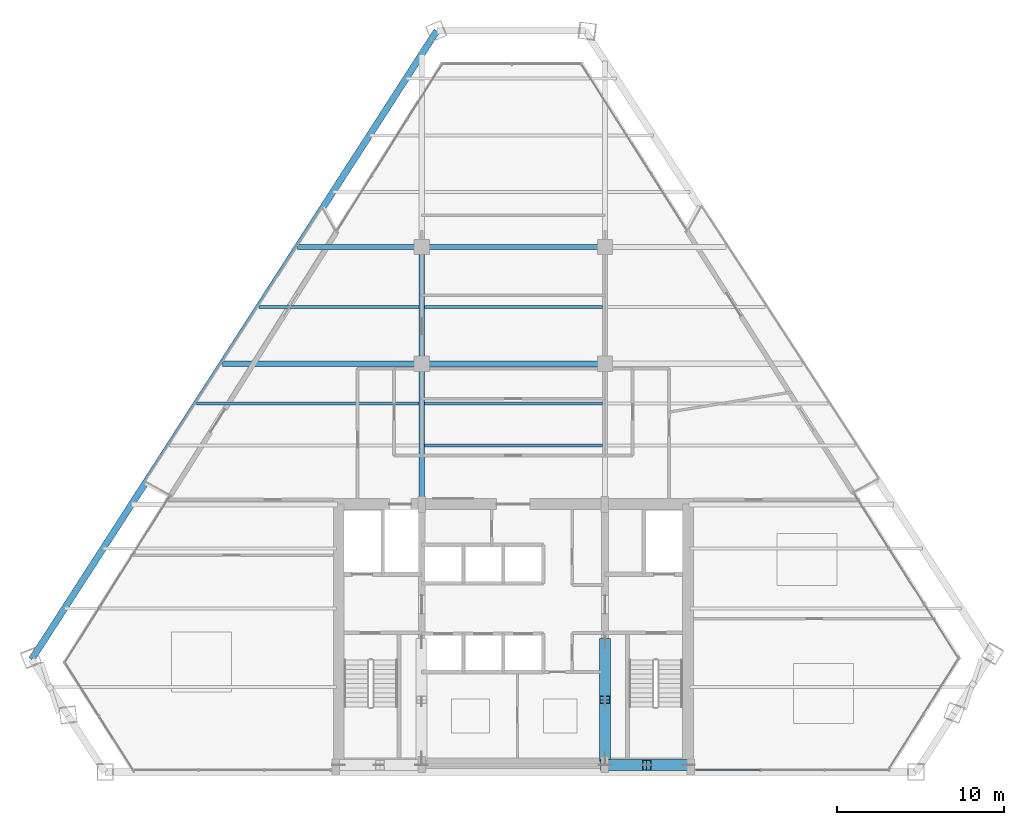
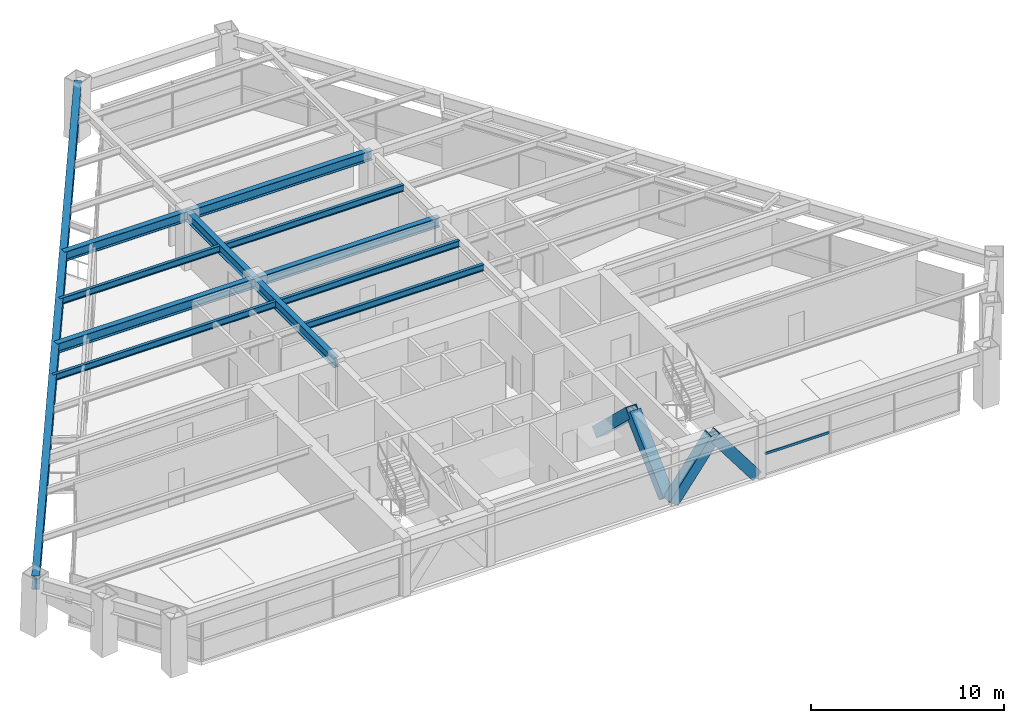
# One storey, part 5 of 15: 12 beams, 5 members, 1 element without a shape of its own.
"""IFC4 building model written with IfcOpenShell, lengths in metres."""

from ifc_helpers import new_model, si_unit, direction, frame, origin, origin_2d, place, context, subcontext, project, spatial, rectangle, hollow_rectangle, i_section, extrude, source, transform, mapped, material, material_profile, profile_set, type_object, type_shapes, element, aggregate, save


model = new_model("IFC4")

# Units and contexts
model_context = context("Model", 3, precision=1e-05, world=origin(), true_north=direction((0.0, 1.0)))
body_context = subcontext(model_context, "Body", "Model", "MODEL_VIEW")
ifc_project = project(units=[si_unit("LENGTHUNIT", "METRE"), si_unit("AREAUNIT", "SQUARE_METRE"), si_unit("VOLUMEUNIT", "CUBIC_METRE"), si_unit("PLANEANGLEUNIT", "RADIAN"), si_unit("MASSUNIT", "GRAM", prefix="KILO")], contexts=[model_context])

# Site, building, storey
site_placement = place(None, origin())
site = spatial("IfcSite", under=ifc_project, at=site_placement, CompositionType="ELEMENT")
building_placement = place(site_placement, origin())
building = spatial("IfcBuilding", under=site, at=building_placement, Name="Varnakhor Terracotta Tower", CompositionType="ELEMENT")
storey_placement = place(building_placement, frame((0.0, 0.0, 171.0)))
storey = spatial("IfcBuildingStorey", under=building, at=storey_placement, Name="L43", CompositionType="ELEMENT", Elevation=171.0)

# Beams
ifc_material_1 = material(Name="Steel S355", Category="steel")
ifc_material_profile_1 = material_profile(ifc_material_1, i_section(OverallWidth=0.324951171875, OverallDepth=0.615966796875, WebThickness=0.013916015625, FlangeThickness=0.02197265625, FilletRadius=0.01806640625, at=origin_2d()), Name="W24X117")
ifc_profile_set_1 = profile_set([ifc_material_profile_1], Name="Steel S355")
beam_type_1 = type_object("IfcBeamType", Name="BM-W24X117", PredefinedType="BEAM", material=ifc_profile_set_1)
shared_shape_1 = source(origin(), body_context, "Body", "SweptSolid", [
    extrude(i_section(OverallWidth=0.324951171875, OverallDepth=0.615966796875, WebThickness=0.013916015625, FlangeThickness=0.02197265625, FilletRadius=0.01806640625, at=origin_2d()), origin(), (0.0, 0.0, 1.0), 8.449951171875),
])
type_shapes(beam_type_1, [shared_shape_1])
beam_1_placement = place(storey_placement, frame((-5.5, 16.050048828125, 3.162109375), z_axis=(0.0, 1.0, 0.0), x_axis=(-1.0, 0.0, 0.0)))
element("IfcBeam", 1, at=beam_1_placement, inside=storey, type_object=beam_type_1, Name="L43 Primary Girder NS1-W", PredefinedType="BEAM", context=body_context, shape_type="MappedRepresentation", body=[
    mapped(shared_shape_1, transform((0.0, 0.0, 0.0), scale=1.0)),
])
shared_shape_2 = source(origin(), body_context, "Body", "SweptSolid", [
    extrude(i_section(OverallWidth=0.324951171875, OverallDepth=0.615966796875, WebThickness=0.013916015625, FlangeThickness=0.02197265625, FilletRadius=0.01806640625, at=origin_2d()), origin(), (0.0, 0.0, 1.0), 7.0),
])
beam_2_placement = place(storey_placement, frame((-5.5, 24.5, 3.162109375), z_axis=(0.0, 1.0, 0.0), x_axis=(-1.0, 0.0, 0.0)))
element("IfcBeam", 2, at=beam_2_placement, inside=storey, type_object=beam_type_1, Name="L43 Primary Girder NS2-W", PredefinedType="BEAM", context=body_context, shape_type="MappedRepresentation", body=[
    mapped(shared_shape_2, transform((0.0, 0.0, 0.0), scale=1.0)),
])
shared_shape_3 = source(origin(), body_context, "Body", "SweptSolid", [
    extrude(i_section(OverallWidth=0.324951171875, OverallDepth=0.615966796875, WebThickness=0.013916015625, FlangeThickness=0.02197265625, FilletRadius=0.01806640625, at=origin_2d()), origin(), (0.0, 0.0, 1.0), 11.0),
])
for number, where, z_axis, x_axis, name in (
    (3, (-5.5, 24.5, 3.162109375), (1.0, 0.0, 0.0), (0.0, 1.0, 0.0), "L43 Primary Girder EW2-2"),
    (4, (-5.5, 31.5, 3.162109375), (1.0, 0.0, 0.0), (0.0, 1.0, 0.0), "L43 Primary Girder EW3-2"),
):
    element("IfcBeam", number, at=place(storey_placement, frame(where, z_axis=z_axis, x_axis=x_axis)), inside=storey, type_object=beam_type_1, Name=name, PredefinedType="BEAM", context=body_context, shape_type="MappedRepresentation", body=[
        mapped(shared_shape_3, transform((0.0, 0.0, 0.0), scale=1.0)),
    ])
ifc_material_profile_2 = material_profile(ifc_material_1, i_section(OverallWidth=0.179931640625, OverallDepth=0.4130859375, WebThickness=0.009765625, FlangeThickness=0.01611328125, FilletRadius=0.01806640625, at=origin_2d()), Name="W16X50")
ifc_profile_set_2 = profile_set([ifc_material_profile_2], Name="Steel S355")
beam_type_2 = type_object("IfcBeamType", Name="JST-W16X50", PredefinedType="JOIST", material=ifc_profile_set_2)
shared_shape_4 = source(origin(), body_context, "Body", "SweptSolid", [
    extrude(i_section(OverallWidth=0.179931640625, OverallDepth=0.4130859375, WebThickness=0.009765625, FlangeThickness=0.01611328125, FilletRadius=0.01806640625, at=origin_2d()), origin(), (0.0, 0.0, 1.0), 10.68310546875),
])
for number, where, z_axis, x_axis, name in (
    (5, (-5.341552734375, 19.60009765625, 3.263427734375), (1.0, 0.0, 0.0), (0.0, 1.0, 0.0), "L43 Composite Floor Joist 4-2"),
    (6, (-5.341552734375, 22.10009765625, 3.263427734375), (1.0, 0.0, 0.0), (0.0, 1.0, 0.0), "L43 Composite Floor Joist 5-2"),
    (7, (-5.341552734375, 27.89990234375, 3.263427734375), (1.0, 0.0, 0.0), (0.0, 1.0, 0.0), "L43 Composite Floor Joist 6-2"),
):
    element("IfcBeam", number, at=place(storey_placement, frame(where, z_axis=z_axis, x_axis=x_axis)), inside=storey, type_object=beam_type_2, Name=name, PredefinedType="JOIST", context=body_context, shape_type="MappedRepresentation", body=[
        mapped(shared_shape_4, transform((0.0, 0.0, 0.0), scale=1.0)),
    ])

# Members
ifc_material_2 = material(Name="Steel S460", Category="steel")
ifc_material_profile_3 = material_profile(ifc_material_2, hollow_rectangle(XDim=0.64990234375, YDim=0.64990234375, WallThickness=0.0400390625, at=origin_2d()), Name="HSS650X650X40")
ifc_profile_set_3 = profile_set([ifc_material_profile_3], Name="Steel S460")
member_type_1 = type_object("IfcMemberType", Name="MBR-MEGA-650", PredefinedType="BRACE", material=ifc_profile_set_3)
shared_shape_5 = source(origin(), body_context, "Body", "SweptSolid", [
    extrude(hollow_rectangle(XDim=0.64990234375, YDim=0.64990234375, WallThickness=0.0400390625, at=origin_2d()), origin(), (0.0, 0.0, 1.0), 4.805908203125),
])
member_1_placement = place(storey_placement, frame((5.5, 0.85009765625, 0.0), z_axis=(0.0, 0.723026776832, 0.69082000549), x_axis=(-1.0, 0.0, 0.0)))
element("IfcMember", 8, at=member_1_placement, inside=storey, type_object=member_type_1, Name="L43 Core Coupled Brace CWEA", PredefinedType="BRACE", context=body_context, shape_type="MappedRepresentation", body=[
    mapped(shared_shape_5, transform((0.0, 0.0, 0.0), scale=1.0)),
])
shared_shape_6 = source(origin(), body_context, "Body", "SweptSolid", [
    extrude(hollow_rectangle(XDim=0.64990234375, YDim=0.64990234375, WallThickness=0.0400390625, at=origin_2d()), origin(), (0.0, 0.0, 1.0), 4.156005859375),
])
for number, where, z_axis, x_axis, name in (
    (9, (5.5, 0.419921875, 0.0), (0.601530923869, 0.0, 0.798849515009), (0.0, 1.0, 0.0), "L43 Core Coupled Brace CSEA"),
    (10, (10.5, 0.419921875, 0.0), (-0.601530923869, 0.0, 0.798849515009), (0.0, -1.0, 0.0), "L43 Core Coupled Brace CSEB"),
):
    element("IfcMember", number, at=place(storey_placement, frame(where, z_axis=z_axis, x_axis=x_axis)), inside=storey, type_object=member_type_1, Name=name, PredefinedType="BRACE", context=body_context, shape_type="MappedRepresentation", body=[
        mapped(shared_shape_6, transform((0.0, 0.0, 0.0), scale=1.0)),
    ])
shared_shape_7 = source(origin(), body_context, "Body", "SweptSolid", [
    extrude(hollow_rectangle(XDim=0.64990234375, YDim=0.64990234375, WallThickness=0.0400390625, at=origin_2d()), origin(), (0.0, 0.0, 1.0), 4.80615234375),
])
member_2_placement = place(storey_placement, frame((5.5, 7.800048828125, 0.0), z_axis=(0.0, -0.723051018573, 0.690794632681), x_axis=(1.0, 0.0, 0.0)))
element("IfcMember", 11, at=member_2_placement, inside=storey, type_object=member_type_1, Name="L43 Core Coupled Brace CWEB", PredefinedType="BRACE", context=body_context, shape_type="MappedRepresentation", body=[
    mapped(shared_shape_7, transform((0.0, 0.0, 0.0), scale=1.0)),
])

# Beams
ifc_material_profile_4 = material_profile(ifc_material_1, i_section(OverallWidth=0.39990234375, OverallDepth=0.85498046875, WebThickness=0.01806640625, FlangeThickness=0.029052734375, FilletRadius=0.01806640625, at=origin_2d()), Name="W33X201")
ifc_profile_set_4 = profile_set([ifc_material_profile_4], Name="Steel S355")
beam_type_3 = type_object("IfcBeamType", Name="BM-W33X201", PredefinedType="BEAM", material=ifc_profile_set_4)
shared_shape_8 = source(origin(), body_context, "Body", "SweptSolid", [
    extrude(i_section(OverallWidth=0.39990234375, OverallDepth=0.85498046875, WebThickness=0.01806640625, FlangeThickness=0.029052734375, FilletRadius=0.01806640625, at=origin_2d()), origin(), (0.0, 0.0, 1.0), 44.874267578125),
])
beam_3_placement = place(storey_placement, frame((-4.590576171875, 44.4697265625, 3.04248046875), z_axis=(-0.541809219818, -0.840501498702, 0.0), x_axis=(0.840501498702, -0.541809219818, 0.0)))
element("IfcBeam", 12, at=beam_3_placement, inside=storey, type_object=beam_type_3, Name="L43 Perimeter Spandrel 6", PredefinedType="BEAM", context=body_context, shape_type="MappedRepresentation", body=[
    mapped(shared_shape_8, transform((0.0, 0.0, 0.0), scale=1.0)),
])
shared_shape_9 = source(origin(), body_context, "Body", "SweptSolid", [
    extrude(i_section(OverallWidth=0.324951171875, OverallDepth=0.615966796875, WebThickness=0.013916015625, FlangeThickness=0.02197265625, FilletRadius=0.01806640625, at=origin_2d()), origin(), (0.0, 0.0, 1.0), 11.963623046875),
])
beam_4_placement = place(storey_placement, frame((-17.463623046875, 24.5, 3.162109375), z_axis=(1.0, 0.0, 0.0), x_axis=(0.0, 1.0, 0.0)))
element("IfcBeam", 13, at=beam_4_placement, inside=storey, type_object=beam_type_1, Name="L43 Primary Girder EW2-1", PredefinedType="BEAM", context=body_context, shape_type="MappedRepresentation", body=[
    mapped(shared_shape_9, transform((0.0, 0.0, 0.0), scale=1.0)),
])
shared_shape_10 = source(origin(), body_context, "Body", "SweptSolid", [
    extrude(i_section(OverallWidth=0.324951171875, OverallDepth=0.615966796875, WebThickness=0.013916015625, FlangeThickness=0.02197265625, FilletRadius=0.01806640625, at=origin_2d()), origin(), (0.0, 0.0, 1.0), 7.451171875),
])
beam_5_placement = place(storey_placement, frame((-12.951171875, 31.5, 3.162109375), z_axis=(1.0, 0.0, 0.0), x_axis=(0.0, 1.0, 0.0)))
element("IfcBeam", 14, at=beam_5_placement, inside=storey, type_object=beam_type_1, Name="L43 Primary Girder EW3-1", PredefinedType="BEAM", context=body_context, shape_type="MappedRepresentation", body=[
    mapped(shared_shape_10, transform((0.0, 0.0, 0.0), scale=1.0)),
])
shared_shape_11 = source(origin(), body_context, "Body", "SweptSolid", [
    extrude(i_section(OverallWidth=0.179931640625, OverallDepth=0.4130859375, WebThickness=0.009765625, FlangeThickness=0.01611328125, FilletRadius=0.01806640625, at=origin_2d()), origin(), (0.0, 0.0, 1.0), 13.352294921875),
])
beam_6_placement = place(storey_placement, frame((-19.0107421875, 22.10009765625, 3.263427734375), z_axis=(1.0, 0.0, 0.0), x_axis=(0.0, 1.0, 0.0)))
element("IfcBeam", 15, at=beam_6_placement, inside=storey, type_object=beam_type_2, Name="L43 Composite Floor Joist 5-1", PredefinedType="JOIST", context=body_context, shape_type="MappedRepresentation", body=[
    mapped(shared_shape_11, transform((0.0, 0.0, 0.0), scale=1.0)),
])
shared_shape_12 = source(origin(), body_context, "Body", "SweptSolid", [
    extrude(i_section(OverallWidth=0.179931640625, OverallDepth=0.4130859375, WebThickness=0.009765625, FlangeThickness=0.01611328125, FilletRadius=0.01806640625, at=origin_2d()), origin(), (0.0, 0.0, 1.0), 9.61328125),
])
beam_7_placement = place(storey_placement, frame((-15.271728515625, 27.89990234375, 3.263427734375), z_axis=(1.0, 0.0, 0.0), x_axis=(0.0, 1.0, 0.0)))
element("IfcBeam", 16, at=beam_7_placement, inside=storey, type_object=beam_type_2, Name="L43 Composite Floor Joist 6-1", PredefinedType="JOIST", context=body_context, shape_type="MappedRepresentation", body=[
    mapped(shared_shape_12, transform((0.0, 0.0, 0.0), scale=1.0)),
])

# Curtain wall, member
ifc_material_3 = material(Name="Anodised Aluminium Curtain Wall System", Category="aluminium")
curtain_wall_type = type_object("IfcCurtainWallType", Name="CW-SYS-MID-OFFICE", PredefinedType="NOTDEFINED", material=ifc_material_3)
curtain_wall_placement = place(storey_placement, origin())
curtain_wall = element("IfcCurtainWall", 17, at=curtain_wall_placement, inside=storey, type_object=curtain_wall_type, Name="L43 South Wing Curtain Wall SSE", PredefinedType="NOTDEFINED")
ifc_material_4 = material(Name="Anodised Aluminium 6063-T6", Category="aluminium")
ifc_material_profile_5 = material_profile(ifc_material_4, rectangle(XDim=0.070068359375, YDim=0.155029296875, at=origin_2d()), Name="ALU TRANSOM 70x155")
ifc_profile_set_5 = profile_set([ifc_material_profile_5], Name="Anodised Aluminium 6063-T6")
member_type_2 = type_object("IfcMemberType", Name="CWT-03", PredefinedType="USERDEFINED", material=ifc_profile_set_5)
shared_shape_13 = source(origin(), body_context, "Body", "SweptSolid", [
    extrude(rectangle(XDim=0.070068359375, YDim=0.155029296875, at=origin_2d()), origin(), (0.0, 0.0, 1.0), 3.859130859375),
])
member_3_placement = place(storey_placement, frame((14.8291015625, 0.1201171875, 1.281005859375), z_axis=(-1.0, 0.0, 0.0), x_axis=(0.0, -1.0, 0.0)))
member_3 = element("IfcMember", 18, at=member_3_placement, type_object=member_type_2, Name="L43 South Wing Curtain Wall SSE Transom 3", ObjectType="TRANSOM", PredefinedType="USERDEFINED", context=body_context, shape_type="MappedRepresentation", body=[
    mapped(shared_shape_13, transform((0.0, 0.0, 0.0), scale=1.0)),
])
aggregate(curtain_wall, [member_3])

save(model, "model.ifc")
